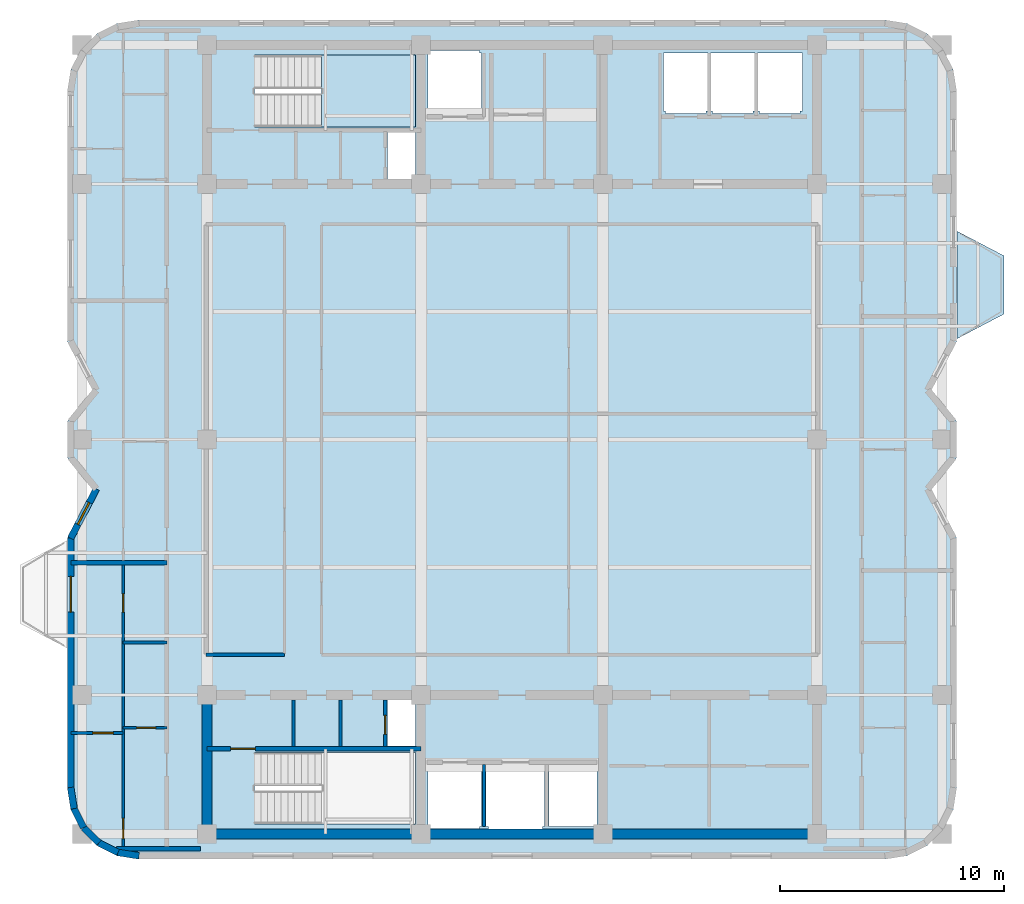
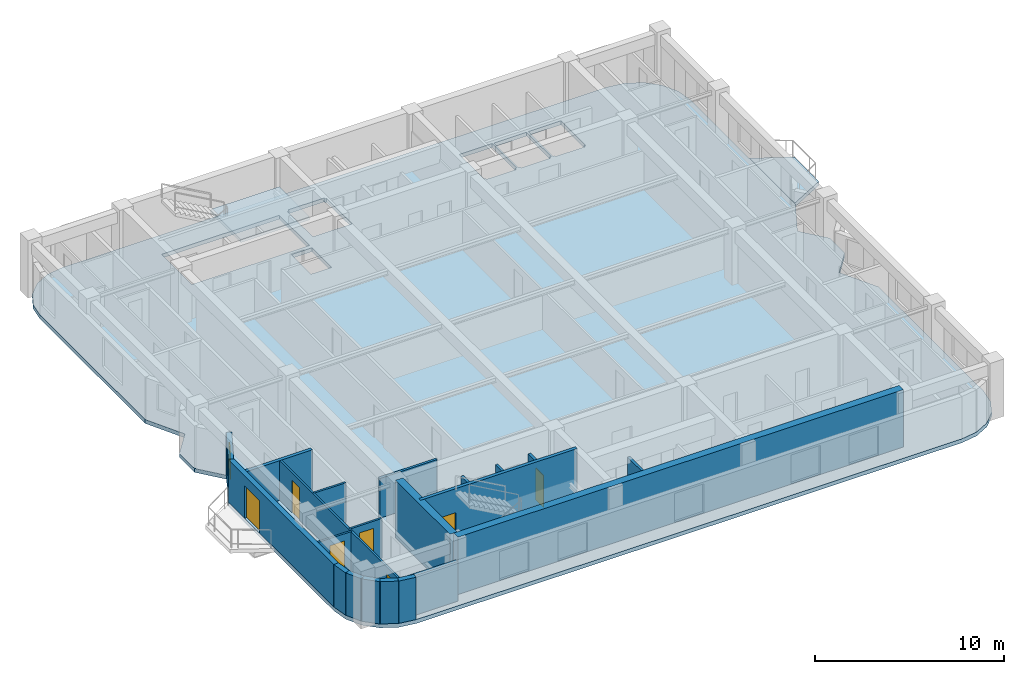
# One storey, part 2 of 9: 21 walls, 7 doors, 3 slabs, 1 window, 8 openings, 1 element without a shape of its own.
"""IFC4 building model written with IfcOpenShell, lengths in metres."""

from ifc_helpers import new_model, si_unit, direction, frame, frame_2d, origin, place, context, subcontext, project, spatial, polyline, rectangle, outline, extrude, material, layer, layer_set, type_object, element, fill, aggregate, save


model = new_model("IFC4")

# Units and contexts
model_context = context("Model", 3, precision=1e-05, world=origin(), true_north=direction((0.0, 1.0)))
body_context = subcontext(model_context, "Body", "Model", "MODEL_VIEW")
ifc_project = project(units=[si_unit("LENGTHUNIT", "METRE"), si_unit("AREAUNIT", "SQUARE_METRE"), si_unit("VOLUMEUNIT", "CUBIC_METRE"), si_unit("PLANEANGLEUNIT", "RADIAN"), si_unit("MASSUNIT", "GRAM", prefix="KILO")], contexts=[model_context])

# Site, building, storey
site_placement = place(None, origin())
site = spatial("IfcSite", under=ifc_project, at=site_placement, CompositionType="ELEMENT")
building_placement = place(site_placement, origin())
building = spatial("IfcBuilding", under=site, at=building_placement, Name="Svetorya Sky Lyceum", CompositionType="ELEMENT")
storey_placement = place(building_placement, frame((0.0, 0.0, 240.60009765625)))
storey = spatial("IfcBuildingStorey", under=building, at=storey_placement, Name="L60", CompositionType="ELEMENT", Elevation=240.60009765625)

# Slab
ifc_material_1 = material(Name="Concrete C40/50", Category="concrete")
ifc_layer_1 = layer(ifc_material_1, 0.25)
ifc_layer_set_1 = layer_set([ifc_layer_1], Name="Concrete C40/50")
slab_type_1 = type_object("IfcSlabType", Name="SL-BAL-250", PredefinedType="FLOOR", material=ifc_layer_set_1)
slab_1_placement = place(storey_placement, frame((0.0, 0.0, -0.25)))
element("IfcSlab", 1, at=slab_1_placement, inside=storey, type_object=slab_type_1, Name="L60 Chamfered Loggia Balcony BAL-E1", PredefinedType="FLOOR", context=body_context, shape_type="SweptSolid", body=[
    extrude(outline(polyline([(59.050048828125, 32.699951171875), (61.14990234375, 33.800048828125), (61.14990234375, 36.39990234375), (59.050048828125, 37.5), (59.050048828125, 32.699951171875)])), origin(), (0.0, 0.0, 1.0), 0.25),
])

# Stair, slab
stair_type = type_object("IfcStairType", Name="STR-ST-N", PredefinedType="HALF_TURN_STAIR", material=ifc_material_1)
stair_placement = place(storey_placement, origin())
stair = element("IfcStair", 2, at=stair_placement, inside=storey, type_object=stair_type, Name="L60 North Core Smoke-Free Exit Stair N3", PredefinedType="HALF_TURN_STAIR")
ifc_layer_2 = layer(ifc_material_1, 0.199951171875)
ifc_layer_set_2 = layer_set([ifc_layer_2], Name="Concrete C40/50")
slab_type_2 = type_object("IfcSlabType", Name="SL-STR-LAND-200", PredefinedType="LANDING", material=ifc_layer_set_2)
slab_2_placement = place(storey_placement, frame((0.0, 0.0, 1.64990234375)))
slab_2 = element("IfcSlab", 3, at=slab_2_placement, type_object=slab_type_2, Name="ST-N landing 1", PredefinedType="LANDING", context=body_context, shape_type="SweptSolid", body=[
    extrude(outline(polyline([(30.699951171875, 42.14990234375), (34.89990234375, 42.14990234375), (34.89990234375, 45.35009765625), (30.699951171875, 45.35009765625), (30.699951171875, 42.14990234375)])), origin(), (0.0, 0.0, 1.0), 0.199951171875),
])
aggregate(stair, [slab_2])

# Slab
ifc_layer_3 = layer(ifc_material_1, 0.25)
ifc_layer_set_3 = layer_set([ifc_layer_3], Name="Concrete C40/50")
slab_type_3 = type_object("IfcSlabType", Name="SL-TWR-250", PredefinedType="FLOOR", material=ifc_layer_set_3)
slab_3_placement = place(storey_placement, frame((0.0, 0.0, -0.25)))
element("IfcSlab", 4, at=slab_3_placement, inside=storey, type_object=slab_type_3, Name="L60 Structural Floor Slab", PredefinedType="FLOOR", context=body_context, shape_type="SweptSolid", body=[
    extrude(outline(polyline([(19.360107421875, 12.679931640625), (19.5166015625, 11.691162109375), (19.97119140625, 10.799072265625), (20.67919921875, 10.091064453125), (21.571044921875, 9.63671875), (22.56005859375, 9.47998046875), (55.840087890625, 9.47998046875), (56.828857421875, 9.63671875), (57.720947265625, 10.091064453125), (58.428955078125, 10.799072265625), (58.88330078125, 11.691162109375), (59.0400390625, 12.679931640625), (59.0400390625, 23.800048828125), (57.889892578125, 26.0), (59.0400390625, 27.39990234375), (59.0400390625, 29.0), (57.889892578125, 30.39990234375), (59.0400390625, 32.60009765625), (59.0400390625, 43.719970703125), (58.88330078125, 44.708984375), (58.428955078125, 45.600830078125), (57.720947265625, 46.308837890625), (56.828857421875, 46.763427734375), (55.840087890625, 46.919921875), (22.56005859375, 46.919921875), (21.571044921875, 46.763427734375), (20.67919921875, 46.308837890625), (19.97119140625, 45.600830078125), (19.5166015625, 44.708984375), (19.360107421875, 43.719970703125), (19.360107421875, 32.60009765625), (20.510009765625, 30.39990234375), (19.360107421875, 29.0), (19.360107421875, 27.39990234375), (20.510009765625, 26.0), (19.360107421875, 23.800048828125), (19.360107421875, 12.679931640625)]), holes=[polyline([(37.85009765625, 10.949951171875), (37.75, 10.949951171875), (37.75, 10.85009765625), (35.550048828125, 10.85009765625), (35.550048828125, 10.949951171875), (35.449951171875, 10.949951171875), (35.449951171875, 13.64990234375), (35.550048828125, 13.64990234375), (37.75, 13.64990234375), (37.85009765625, 13.64990234375), (37.85009765625, 10.949951171875)]), polyline([(38.14990234375, 10.800048828125), (38.14990234375, 10.949951171875), (38.050048828125, 10.949951171875), (38.050048828125, 13.64990234375), (38.14990234375, 13.64990234375), (38.14990234375, 13.699951171875), (40.550048828125, 13.699951171875), (40.550048828125, 13.64990234375), (40.64990234375, 13.64990234375), (40.64990234375, 10.949951171875), (40.550048828125, 10.949951171875), (40.550048828125, 10.800048828125), (38.14990234375, 10.800048828125)]), polyline([(27.719970703125, 11.050048828125), (27.719970703125, 14.25), (34.89990234375, 14.25), (34.89990234375, 11.050048828125), (27.719970703125, 11.050048828125)]), polyline([(33.64990234375, 14.52001953125), (33.64990234375, 16.580078125), (34.89990234375, 16.580078125), (34.89990234375, 14.52001953125), (33.64990234375, 14.52001953125)]), polyline([(33.64990234375, 39.820068359375), (33.64990234375, 41.89990234375), (34.89990234375, 41.89990234375), (34.89990234375, 39.820068359375), (33.64990234375, 39.820068359375)]), polyline([(27.719970703125, 42.14990234375), (27.719970703125, 45.35009765625), (34.89990234375, 45.35009765625), (34.89990234375, 42.14990234375), (27.719970703125, 42.14990234375)]), polyline([(37.75, 42.75), (35.550048828125, 42.75), (35.449951171875, 42.75), (35.449951171875, 45.449951171875), (35.550048828125, 45.449951171875), (35.550048828125, 45.550048828125), (37.75, 45.550048828125), (37.75, 45.449951171875), (37.85009765625, 45.449951171875), (37.85009765625, 42.75), (37.75, 42.75)]), polyline([(40.85009765625, 10.949951171875), (40.85009765625, 13.64990234375), (43.0, 13.64990234375), (43.0, 10.949951171875), (40.85009765625, 10.949951171875)]), polyline([(46.050048828125, 42.75), (46.050048828125, 42.85009765625), (45.949951171875, 42.85009765625), (45.949951171875, 45.449951171875), (46.050048828125, 45.449951171875), (47.85009765625, 45.449951171875), (47.949951171875, 45.449951171875), (47.949951171875, 42.85009765625), (47.85009765625, 42.85009765625), (47.85009765625, 42.75), (46.050048828125, 42.75)]), polyline([(50.050048828125, 42.85009765625), (49.949951171875, 42.85009765625), (49.949951171875, 42.75), (48.14990234375, 42.75), (48.14990234375, 42.85009765625), (48.050048828125, 42.85009765625), (48.050048828125, 45.449951171875), (48.14990234375, 45.449951171875), (49.949951171875, 45.449951171875), (50.050048828125, 45.449951171875), (50.050048828125, 42.85009765625)]), polyline([(52.14990234375, 42.85009765625), (52.050048828125, 42.85009765625), (52.050048828125, 42.75), (50.25, 42.75), (50.25, 42.85009765625), (50.14990234375, 42.85009765625), (50.14990234375, 45.449951171875), (50.25, 45.449951171875), (52.050048828125, 45.449951171875), (52.14990234375, 45.449951171875), (52.14990234375, 42.85009765625)])]), origin(), (0.0, 0.0, 1.0), 0.25),
])

# Walls
ifc_material_2 = material(Name="Concrete C50/60", Category="concrete")
ifc_layer_4 = layer(ifc_material_2, 0.449951171875)
ifc_layer_set_4 = layer_set([ifc_layer_4], Name="Concrete C50/60")
wall_type_1 = type_object("IfcWallType", Name="WL-CORE-450", PredefinedType="SHEAR", material=ifc_layer_set_4)
wall_1_placement = place(storey_placement, frame((52.800048828125, 10.60009765625, 0.0), z_axis=(0.0, 0.0, 1.0), x_axis=(-1.0, 0.0, 0.0)))
element("IfcWall", 5, at=wall_1_placement, inside=storey, type_object=wall_type_1, Name="L60 SC Outer Core Shear Wall", PredefinedType="SHEAR", context=body_context, shape_type="SweptSolid", body=[
    extrude(rectangle(XDim=27.199951171875, YDim=0.449951171875, at=frame_2d((13.60009765625, 0.0))), origin(), (0.0, 0.0, 1.0), 3.699951171875),
])
wall_2_placement = place(storey_placement, frame((25.60009765625, 10.824951171875, 0.0), z_axis=(0.0, 0.0, 1.0), x_axis=(0.0, 1.0, 0.0)))
element("IfcWall", 6, at=wall_2_placement, inside=storey, type_object=wall_type_1, Name="L60 SC West Core Shear Wall", PredefinedType="SHEAR", context=body_context, shape_type="SweptSolid", body=[
    extrude(rectangle(XDim=5.75, YDim=0.449951171875, at=frame_2d((2.875, 0.0))), origin(), (0.0, 0.0, 1.0), 3.699951171875),
])
ifc_material_3 = material(Name="Putilovo limestone rainscreen on autoclaved cellular masonry", Category="masonry")
ifc_layer_5 = layer(ifc_material_3, 0.300048828125)
ifc_layer_set_5 = layer_set([ifc_layer_5], Name="Putilovo limestone rainscreen on autoclaved cellular masonry")
wall_type_2 = type_object("IfcWallType", Name="WL-EXT-300", PredefinedType="SOLIDWALL", material=ifc_layer_set_5)
wall_3_placement = place(storey_placement, frame((19.510009765625, 12.679931640625, 0.0), z_axis=(0.0, 0.0, 1.0), x_axis=(0.156343617883, -0.987702725088, 0.0)))
element("IfcWall", 7, at=wall_3_placement, inside=storey, type_object=wall_type_2, Name="L60 Limestone Exterior Wall 1M", PredefinedType="SOLIDWALL", context=body_context, shape_type="SweptSolid", body=[
    extrude(rectangle(XDim=0.9541015625, YDim=0.300048828125, at=frame_2d((0.47705078125, 0.0))), origin(), (0.0, 0.0, 1.0), 2.72998046875),
])
for number, where, z_axis, x_axis, name in (
    (8, (19.6591796875, 11.737548828125, 0.0), (0.0, 0.0, 1.0), (0.454056065666, -0.890973113642, 0.0), "L60 Limestone Exterior Wall 2M"),
    (9, (20.092529296875, 10.88720703125, 0.0), (0.0, 0.0, 1.0), (0.707106781187, -0.707106781187, 0.0), "L60 Limestone Exterior Wall 3M"),
):
    element("IfcWall", number, at=place(storey_placement, frame(where, z_axis=z_axis, x_axis=x_axis)), inside=storey, type_object=wall_type_2, Name=name, PredefinedType="SOLIDWALL", context=body_context, shape_type="SweptSolid", body=[
        extrude(rectangle(XDim=0.954345703125, YDim=0.300048828125, at=frame_2d((0.47705078125, 0.0))), origin(), (0.0, 0.0, 1.0), 2.72998046875),
    ])
wall_4_placement = place(storey_placement, frame((20.767333984375, 10.21240234375, 0.0), z_axis=(0.0, 0.0, 1.0), x_axis=(0.891023873617, -0.45395644796, 0.0)))
element("IfcWall", 10, at=wall_4_placement, inside=storey, type_object=wall_type_2, Name="L60 Limestone Exterior Wall 4M", PredefinedType="SOLIDWALL", context=body_context, shape_type="SweptSolid", body=[
    extrude(rectangle(XDim=0.9541015625, YDim=0.300048828125, at=frame_2d((0.47705078125, 0.0))), origin(), (0.0, 0.0, 1.0), 2.72998046875),
])
wall_5_placement = place(storey_placement, frame((21.617431640625, 9.779296875, 0.0), z_axis=(0.0, 0.0, 1.0), x_axis=(0.987669453596, -0.156553666304, 0.0)))
element("IfcWall", 11, at=wall_5_placement, inside=storey, type_object=wall_type_2, Name="L60 Limestone Exterior Wall 5M", PredefinedType="SOLIDWALL", context=body_context, shape_type="SweptSolid", body=[
    extrude(rectangle(XDim=0.954345703125, YDim=0.300048828125, at=frame_2d((0.47705078125, 0.0))), origin(), (0.0, 0.0, 1.0), 2.72998046875),
])

# Wall, opening, window
wall_6_placement = place(storey_placement, frame((20.659912109375, 26.0, 0.0), z_axis=(0.0, 0.0, 1.0), x_axis=(-0.46323138706, -0.886237373418, 0.0)))
wall_6 = element("IfcWall", 12, at=wall_6_placement, inside=storey, type_object=wall_type_2, Name="L60 Limestone Exterior Wall 35M", PredefinedType="SOLIDWALL", context=body_context, shape_type="SweptSolid", body=[
    extrude(rectangle(XDim=2.482421875, YDim=0.300048828125, at=frame_2d((1.2412109375, 0.0))), origin(), (0.0, 0.0, 1.0), 2.72998046875),
])
opening_1_placement = place(wall_6_placement, frame((0.691162109375, 0.0, 0.919921875)))
opening_1 = element("IfcOpeningElement", 13, at=opening_1_placement, cuts=wall_6, Name="Opening W-R3", PredefinedType="OPENING", context=body_context, shape_type="SweptSolid", body=[
    extrude(rectangle(XDim=1.10009765625, YDim=1.64990234375, at=frame_2d((0.550048828125, 0.824951171875))), frame((0.0, 0.159912109375, 0.0), z_axis=(0.0, -1.0, 0.0), x_axis=(1.0, 0.0, 0.0)), (0.0, 0.0, 1.0), 0.320068359375),
])
ifc_material_4 = material(Name="Thermally broken aluminium frame with triple low-E glazing", Category="aluminium")
window_type = type_object("IfcWindowType", Name="WN-RES-110", PartitioningType="SINGLE_PANEL", PredefinedType="WINDOW", material=ifc_material_4)
window_placement = place(opening_1_placement, origin())
window = element("IfcWindow", 14, at=window_placement, inside=storey, type_object=window_type, Name="L60 Facade Window W-R3.35M.1", OverallHeight=1.64990234375, OverallWidth=1.10009765625, PartitioningType="SINGLE_PANEL", PredefinedType="WINDOW", context=body_context, shape_type="SweptSolid", body=[
    extrude(rectangle(XDim=1.10009765625, YDim=1.64990234375, at=frame_2d((0.550048828125, 0.824951171875))), frame((0.0, 0.030029296875, 0.0), z_axis=(0.0, -1.0, 0.0), x_axis=(1.0, 0.0, 0.0)), (0.0, 0.0, 1.0), 0.06005859375),
])
fill(opening_1, window)

# Wall, opening, door
wall_7_placement = place(storey_placement, frame((19.510009765625, 23.800048828125, 0.0), z_axis=(0.0, 0.0, 1.0), x_axis=(0.0, -1.0, 0.0)))
wall_7 = element("IfcWall", 15, at=wall_7_placement, inside=storey, type_object=wall_type_2, Name="L60 Limestone Exterior Wall 36M", PredefinedType="SOLIDWALL", context=body_context, shape_type="SweptSolid", body=[
    extrude(rectangle(XDim=11.1201171875, YDim=0.300048828125, at=frame_2d((5.56005859375, 0.0))), origin(), (0.0, 0.0, 1.0), 2.72998046875),
])
opening_2_placement = place(wall_7_placement, frame((1.699951171875, 0.0, 0.0)))
opening_2 = element("IfcOpeningElement", 16, at=opening_2_placement, cuts=wall_7, Name="Opening D-BL1", PredefinedType="OPENING", context=body_context, shape_type="SweptSolid", body=[
    extrude(rectangle(XDim=1.60009765625, YDim=2.10009765625, at=frame_2d((0.800048828125, 1.050048828125))), frame((0.0, 0.159912109375, 0.0), z_axis=(0.0, -1.0, 0.0), x_axis=(1.0, 0.0, 0.0)), (0.0, 0.0, 1.0), 0.320068359375),
])
ifc_material_5 = material(Name="Insulated glazed aluminium balcony door", Category="aluminium")
door_type_1 = type_object("IfcDoorType", Name="DR-BAL-1600", OperationType="DOUBLE_DOOR_SINGLE_SWING", PredefinedType="DOOR", material=ifc_material_5)
door_1_placement = place(opening_2_placement, origin())
door_1 = element("IfcDoor", 17, at=door_1_placement, inside=storey, type_object=door_type_1, Name="L60 Balcony BAL-W1 Door", OperationType="DOUBLE_DOOR_SINGLE_SWING", OverallHeight=2.10009765625, OverallWidth=1.60009765625, PredefinedType="DOOR", context=body_context, shape_type="SweptSolid", body=[
    extrude(rectangle(XDim=1.60009765625, YDim=2.10009765625, at=frame_2d((0.800048828125, 1.050048828125))), frame((0.0, 0.02490234375, 0.0), z_axis=(0.0, -1.0, 0.0), x_axis=(1.0, 0.0, 0.0)), (0.0, 0.0, 1.0), 0.050048828125),
])
fill(opening_2, door_1)

ifc_material_6 = material(Name="Twin-stud galvanized framing with double fireboard", Category="gypsum")
ifc_layer_6 = layer(ifc_material_6, 0.1201171875)
ifc_layer_set_6 = layer_set([ifc_layer_6], Name="Twin-stud galvanized framing with double fireboard")
wall_type_3 = type_object("IfcWallType", Name="WL-PART-120", PredefinedType="PARTITIONING", material=ifc_layer_set_6)
wall_8_placement = place(storey_placement, frame((21.85009765625, 15.35009765625, 0.0), z_axis=(0.0, 0.0, 1.0), x_axis=(1.0, 0.0, 0.0)))
wall_8 = element("IfcWall", 18, at=wall_8_placement, inside=storey, type_object=wall_type_3, Name="L60 Interior Partition W1-WH1", PredefinedType="PARTITIONING", context=body_context, shape_type="SweptSolid", body=[
    extrude(rectangle(XDim=1.949951171875, YDim=0.1201171875, at=frame_2d((0.97509765625, 0.0))), origin(), (0.0, 0.0, 1.0), 2.559814453125),
])
opening_3_placement = place(wall_8_placement, frame((0.60009765625, 0.0, 0.0)))
opening_3 = element("IfcOpeningElement", 19, at=opening_3_placement, cuts=wall_8, Name="Opening D-BT1", PredefinedType="OPENING", context=body_context, shape_type="SweptSolid", body=[
    extrude(rectangle(XDim=0.85009765625, YDim=2.10009765625, at=frame_2d((0.425048828125, 1.050048828125))), frame((0.0, 0.070068359375, 0.0), z_axis=(0.0, -1.0, 0.0), x_axis=(1.0, 0.0, 0.0)), (0.0, 0.0, 1.0), 0.14013671875),
])
ifc_material_7 = material(Name="Moisture-resistant laminate bathroom door")
door_type_2 = type_object("IfcDoorType", Name="DR-WET-850", OperationType="SINGLE_SWING_LEFT", PredefinedType="DOOR", material=ifc_material_7)
door_2_placement = place(opening_3_placement, origin())
door_2 = element("IfcDoor", 20, at=door_2_placement, inside=storey, type_object=door_type_2, Name="Apartment W1 Bathroom Door", OperationType="SINGLE_SWING_LEFT", OverallHeight=2.10009765625, OverallWidth=0.85009765625, PredefinedType="DOOR", context=body_context, shape_type="SweptSolid", body=[
    extrude(rectangle(XDim=0.85009765625, YDim=2.10009765625, at=frame_2d((0.425048828125, 1.050048828125))), frame((0.0, 0.02490234375, 0.0), z_axis=(0.0, -1.0, 0.0), x_axis=(1.0, 0.0, 0.0)), (0.0, 0.0, 1.0), 0.050048828125),
])
fill(opening_3, door_2)

# Wall
wall_9_placement = place(storey_placement, frame((21.85009765625, 19.14990234375, 0.0), z_axis=(0.0, 0.0, 1.0), x_axis=(1.0, 0.0, 0.0)))
element("IfcWall", 21, at=wall_9_placement, inside=storey, type_object=wall_type_3, Name="L60 Interior Partition W1-WH2", PredefinedType="PARTITIONING", context=body_context, shape_type="SweptSolid", body=[
    extrude(rectangle(XDim=1.949951171875, YDim=0.1201171875, at=frame_2d((0.97509765625, 0.0))), origin(), (0.0, 0.0, 1.0), 2.559814453125),
])

# Wall, opening, door
wall_10_placement = place(storey_placement, frame((19.530029296875, 15.110107421875, 0.0), z_axis=(0.0, 0.0, 1.0), x_axis=(1.0, 0.0, 0.0)))
wall_10 = element("IfcWall", 22, at=wall_10_placement, inside=storey, type_object=wall_type_3, Name="L60 Interior Partition W1-WL1", PredefinedType="PARTITIONING", context=body_context, shape_type="SweptSolid", body=[
    extrude(rectangle(XDim=2.320068359375, YDim=0.1201171875, at=frame_2d((1.16015625, 0.0))), origin(), (0.0, 0.0, 1.0), 2.559814453125),
])
opening_4_placement = place(wall_10_placement, frame((0.969970703125, 0.0, 0.0)))
opening_4 = element("IfcOpeningElement", 23, at=opening_4_placement, cuts=wall_10, Name="Opening D-RM1", PredefinedType="OPENING", context=body_context, shape_type="SweptSolid", body=[
    extrude(rectangle(XDim=0.89990234375, YDim=2.10009765625, at=frame_2d((0.449951171875, 1.050048828125))), frame((0.0, 0.070068359375, 0.0), z_axis=(0.0, -1.0, 0.0), x_axis=(1.0, 0.0, 0.0)), (0.0, 0.0, 1.0), 0.14013671875),
])
ifc_material_8 = material(Name="Lacquered birch veneer internal door")
door_type_3 = type_object("IfcDoorType", Name="DR-INT-900", OperationType="SINGLE_SWING_LEFT", PredefinedType="DOOR", material=ifc_material_8)
door_3_placement = place(opening_4_placement, origin())
door_3 = element("IfcDoor", 24, at=door_3_placement, inside=storey, type_object=door_type_3, Name="Apartment W1 Bedroom 1 Door", OperationType="SINGLE_SWING_LEFT", OverallHeight=2.10009765625, OverallWidth=0.89990234375, PredefinedType="DOOR", context=body_context, shape_type="SweptSolid", body=[
    extrude(rectangle(XDim=0.89990234375, YDim=2.10009765625, at=frame_2d((0.449951171875, 1.050048828125))), frame((0.0, 0.02490234375, 0.0), z_axis=(0.0, -1.0, 0.0), x_axis=(1.0, 0.0, 0.0)), (0.0, 0.0, 1.0), 0.050048828125),
])
fill(opening_4, door_3)

# Wall, openings, doors
wall_11_placement = place(storey_placement, frame((21.85009765625, 9.989990234375, 0.0), z_axis=(0.0, 0.0, 1.0), x_axis=(0.0, 1.0, 0.0)))
wall_11 = element("IfcWall", 25, at=wall_11_placement, inside=storey, type_object=wall_type_3, Name="L60 Interior Partition W1-WV", PredefinedType="PARTITIONING", context=body_context, shape_type="SweptSolid", body=[
    extrude(rectangle(XDim=12.669921875, YDim=0.1201171875, at=frame_2d((6.3349609375, 0.0))), origin(), (0.0, 0.0, 1.0), 2.559814453125),
])
opening_5_placement = place(wall_11_placement, frame((0.409912109375, 0.0, 0.0)))
opening_5 = element("IfcOpeningElement", 26, at=opening_5_placement, cuts=wall_11, Name="Opening D-RM1", PredefinedType="OPENING", context=body_context, shape_type="SweptSolid", body=[
    extrude(rectangle(XDim=0.89990234375, YDim=2.10009765625, at=frame_2d((0.449951171875, 1.050048828125))), frame((0.0, 0.070068359375, 0.0), z_axis=(0.0, -1.0, 0.0), x_axis=(1.0, 0.0, 0.0)), (0.0, 0.0, 1.0), 0.14013671875),
])
opening_6_placement = place(wall_11_placement, frame((10.510009765625, 0.0, 0.0)))
opening_6 = element("IfcOpeningElement", 27, at=opening_6_placement, cuts=wall_11, Name="Opening D-BT2", PredefinedType="OPENING", context=body_context, shape_type="SweptSolid", body=[
    extrude(rectangle(XDim=0.820068359375, YDim=2.080078125, at=frame_2d((0.41015625, 1.0400390625))), frame((0.0, 0.070068359375, 0.0), z_axis=(0.0, -1.0, 0.0), x_axis=(1.0, 0.0, 0.0)), (0.0, 0.0, 1.0), 0.14013671875),
])
door_4_placement = place(opening_5_placement, origin())
door_4 = element("IfcDoor", 28, at=door_4_placement, inside=storey, type_object=door_type_3, Name="Apartment W1 Living Door", OperationType="SINGLE_SWING_RIGHT", OverallHeight=2.10009765625, OverallWidth=0.89990234375, PredefinedType="DOOR", context=body_context, shape_type="SweptSolid", body=[
    extrude(rectangle(XDim=0.89990234375, YDim=2.10009765625, at=frame_2d((0.449951171875, 1.050048828125))), frame((0.0, 0.02490234375, 0.0), z_axis=(0.0, -1.0, 0.0), x_axis=(1.0, 0.0, 0.0)), (0.0, 0.0, 1.0), 0.050048828125),
])
fill(opening_5, door_4)
ifc_material_9 = material(Name="Compact moisture-resistant laminate closet door")
door_type_4 = type_object("IfcDoorType", Name="DR-WET-820", OperationType="SINGLE_SWING_LEFT", PredefinedType="DOOR", material=ifc_material_9)
door_5_placement = place(opening_6_placement, origin())
door_5 = element("IfcDoor", 29, at=door_5_placement, inside=storey, type_object=door_type_4, Name="Apartment W1 Study Door", OperationType="SINGLE_SWING_LEFT", OverallHeight=2.080078125, OverallWidth=0.820068359375, PredefinedType="DOOR", context=body_context, shape_type="SweptSolid", body=[
    extrude(rectangle(XDim=0.820068359375, YDim=2.080078125, at=frame_2d((0.41015625, 1.0400390625))), frame((0.0, 0.02490234375, 0.0), z_axis=(0.0, -1.0, 0.0), x_axis=(1.0, 0.0, 0.0)), (0.0, 0.0, 1.0), 0.050048828125),
])
fill(opening_6, door_5)

# Walls
ifc_material_10 = material(Name="Autoclaved cellular masonry blockwork with acoustic render", Category="masonry")
ifc_layer_7 = layer(ifc_material_10, 0.14990234375)
ifc_layer_set_7 = layer_set([ifc_layer_7], Name="Autoclaved cellular masonry blockwork with acoustic render")
wall_type_4 = type_object("IfcWallType", Name="WL-PART-150", PredefinedType="PARTITIONING", material=ifc_layer_set_7)
for number, where, z_axis, x_axis, name in (
    (30, (29.449951171875, 14.5, 0.0), (0.0, 0.0, 1.0), (0.0, 1.0, 0.0), "L60 Interior Partition SC-SWD1"),
    (31, (31.550048828125, 14.5, 0.0), (0.0, 0.0, 1.0), (0.0, 1.0, 0.0), "L60 Interior Partition SC-SWD2"),
):
    element("IfcWall", number, at=place(storey_placement, frame(where, z_axis=z_axis, x_axis=x_axis)), inside=storey, type_object=wall_type_4, Name=name, PredefinedType="PARTITIONING", context=body_context, shape_type="SweptSolid", body=[
        extrude(rectangle(XDim=2.080078125, YDim=0.14990234375, at=frame_2d((1.0400390625, 0.0))), origin(), (0.0, 0.0, 1.0), 2.559814453125),
    ])

# Wall, opening, door
wall_12_placement = place(storey_placement, frame((33.550048828125, 14.5, 0.0), z_axis=(0.0, 0.0, 1.0), x_axis=(0.0, 1.0, 0.0)))
wall_12 = element("IfcWall", 32, at=wall_12_placement, inside=storey, type_object=wall_type_4, Name="L60 Interior Partition SC-SWD3", PredefinedType="PARTITIONING", context=body_context, shape_type="SweptSolid", body=[
    extrude(rectangle(XDim=2.080078125, YDim=0.14990234375, at=frame_2d((1.0400390625, 0.0))), origin(), (0.0, 0.0, 1.0), 2.559814453125),
])
opening_7_placement = place(wall_12_placement, frame((0.550048828125, 0.0, 0.0)))
opening_7 = element("IfcOpeningElement", 33, at=opening_7_placement, cuts=wall_12, Name="Opening D-SH1", PredefinedType="OPENING", context=body_context, shape_type="SweptSolid", body=[
    extrude(rectangle(XDim=0.85009765625, YDim=2.050048828125, at=frame_2d((0.425048828125, 1.02490234375))), frame((0.0, 0.0849609375, 0.0), z_axis=(0.0, -1.0, 0.0), x_axis=(1.0, 0.0, 0.0)), (0.0, 0.0, 1.0), 0.169921875),
])
ifc_material_11 = material(Name="Insulated galvanized riser inspection fire door")
door_type_5 = type_object("IfcDoorType", Name="DR-SHFT-850", OperationType="SINGLE_SWING_LEFT", PredefinedType="TRAPDOOR", material=ifc_material_11)
door_6_placement = place(opening_7_placement, origin())
door_6 = element("IfcDoor", 34, at=door_6_placement, inside=storey, type_object=door_type_5, Name="L60 South Riser Access Door", OperationType="SINGLE_SWING_RIGHT", OverallHeight=2.050048828125, OverallWidth=0.85009765625, PredefinedType="TRAPDOOR", context=body_context, shape_type="SweptSolid", body=[
    extrude(rectangle(XDim=0.85009765625, YDim=2.050048828125, at=frame_2d((0.425048828125, 1.02490234375))), frame((0.0, 0.02490234375, 0.0), z_axis=(0.0, -1.0, 0.0), x_axis=(1.0, 0.0, 0.0)), (0.0, 0.0, 1.0), 0.050048828125),
])
fill(opening_7, door_6)

# Walls
wall_13_placement = place(storey_placement, frame((37.949951171875, 10.949951171875, 0.0), z_axis=(0.0, 0.0, 1.0), x_axis=(0.0, 1.0, 0.0)))
element("IfcWall", 35, at=wall_13_placement, inside=storey, type_object=wall_type_4, Name="L60 Interior Partition SC-SHD1", PredefinedType="PARTITIONING", context=body_context, shape_type="SweptSolid", body=[
    extrude(rectangle(XDim=2.75, YDim=0.14990234375, at=frame_2d((1.375, 0.0))), origin(), (0.0, 0.0, 1.0), 2.559814453125),
])
wall_14_placement = place(storey_placement, frame((25.550048828125, 18.60009765625, 0.0), z_axis=(0.0, 0.0, 1.0), x_axis=(1.0, 0.0, 0.0)))
element("IfcWall", 36, at=wall_14_placement, inside=storey, type_object=wall_type_4, Name="L60 Interior Partition OFF-CS-W", PredefinedType="PARTITIONING", context=body_context, shape_type="SweptSolid", body=[
    extrude(rectangle(XDim=3.5, YDim=0.14990234375, at=frame_2d((1.75, 0.0))), origin(), (0.0, 0.0, 1.0), 2.559814453125),
])
ifc_material_12 = material(Name="Autoclaved cellular masonry blockwork with gypsum plaster", Category="masonry")
ifc_layer_8 = layer(ifc_material_12, 0.199951171875)
ifc_layer_set_8 = layer_set([ifc_layer_8], Name="Autoclaved cellular masonry blockwork with gypsum plaster")
wall_type_5 = type_object("IfcWallType", Name="WL-PART-200", PredefinedType="PARTITIONING", material=ifc_layer_set_8)
wall_15_placement = place(storey_placement, frame((19.530029296875, 22.699951171875, 0.0), z_axis=(0.0, 0.0, 1.0), x_axis=(1.0, 0.0, 0.0)))
element("IfcWall", 37, at=wall_15_placement, inside=storey, type_object=wall_type_5, Name="L60 Interior Partition W-PARTY-1", PredefinedType="PARTITIONING", context=body_context, shape_type="SweptSolid", body=[
    extrude(rectangle(XDim=4.27001953125, YDim=0.199951171875, at=frame_2d((2.135009765625, 0.0))), origin(), (0.0, 0.0, 1.0), 2.559814453125),
])
wall_16_placement = place(storey_placement, frame((21.5458984375, 9.949951171875, 0.0), z_axis=(0.0, 0.0, 1.0), x_axis=(1.0, 0.0, 0.0)))
element("IfcWall", 38, at=wall_16_placement, inside=storey, type_object=wall_type_5, Name="L60 Interior Partition W-CAP-S", PredefinedType="PARTITIONING", context=body_context, shape_type="SweptSolid", body=[
    extrude(rectangle(XDim=3.754150390625, YDim=0.199951171875, at=frame_2d((1.876953125, 0.0))), origin(), (0.0, 0.0, 1.0), 2.559814453125),
])

# Wall, opening, door
ifc_layer_9 = layer(ifc_material_2, 0.199951171875)
ifc_layer_set_9 = layer_set([ifc_layer_9], Name="Concrete C50/60")
wall_type_6 = type_object("IfcWallType", Name="WL-SHW-200", PredefinedType="SHEAR", material=ifc_layer_set_9)
wall_17_placement = place(storey_placement, frame((25.60009765625, 14.39990234375, 0.0), z_axis=(0.0, 0.0, 1.0), x_axis=(1.0, 0.0, 0.0)))
wall_17 = element("IfcWall", 39, at=wall_17_placement, inside=storey, type_object=wall_type_6, Name="L60 Structural Stair Shaft Wall SC-STW", PredefinedType="SHEAR", context=body_context, shape_type="SweptSolid", body=[
    extrude(rectangle(XDim=9.5498046875, YDim=0.199951171875, at=frame_2d((4.77490234375, 0.0))), origin(), (0.0, 0.0, 1.0), 3.699951171875),
])
opening_8_placement = place(wall_17_placement, frame((1.050048828125, 0.0, 0.0)))
opening_8 = element("IfcOpeningElement", 40, at=opening_8_placement, cuts=wall_17, Name="Opening D-ST1", PredefinedType="OPENING", context=body_context, shape_type="SweptSolid", body=[
    extrude(rectangle(XDim=1.10009765625, YDim=2.14990234375, at=frame_2d((0.550048828125, 1.074951171875))), frame((0.0, 0.10986328125, 0.0), z_axis=(0.0, -1.0, 0.0), x_axis=(1.0, 0.0, 0.0)), (0.0, 0.0, 1.0), 0.219970703125),
])
ifc_material_13 = material(Name="Powder-coated insulated galvanized stair fire door")
door_type_6 = type_object("IfcDoorType", Name="DR-FIRE-1100", OperationType="SINGLE_SWING_LEFT", PredefinedType="DOOR", material=ifc_material_13)
door_7_placement = place(opening_8_placement, origin())
door_7 = element("IfcDoor", 41, at=door_7_placement, inside=storey, type_object=door_type_6, Name="L60 Stair ST-S Vestibule Fire Door", OperationType="SINGLE_SWING_LEFT", OverallHeight=2.14990234375, OverallWidth=1.10009765625, PredefinedType="DOOR", context=body_context, shape_type="SweptSolid", body=[
    extrude(rectangle(XDim=1.10009765625, YDim=2.14990234375, at=frame_2d((0.550048828125, 1.074951171875))), frame((0.0, 0.02490234375, 0.0), z_axis=(0.0, -1.0, 0.0), x_axis=(1.0, 0.0, 0.0)), (0.0, 0.0, 1.0), 0.050048828125),
])
fill(opening_8, door_7)

save(model, "model.ifc")
